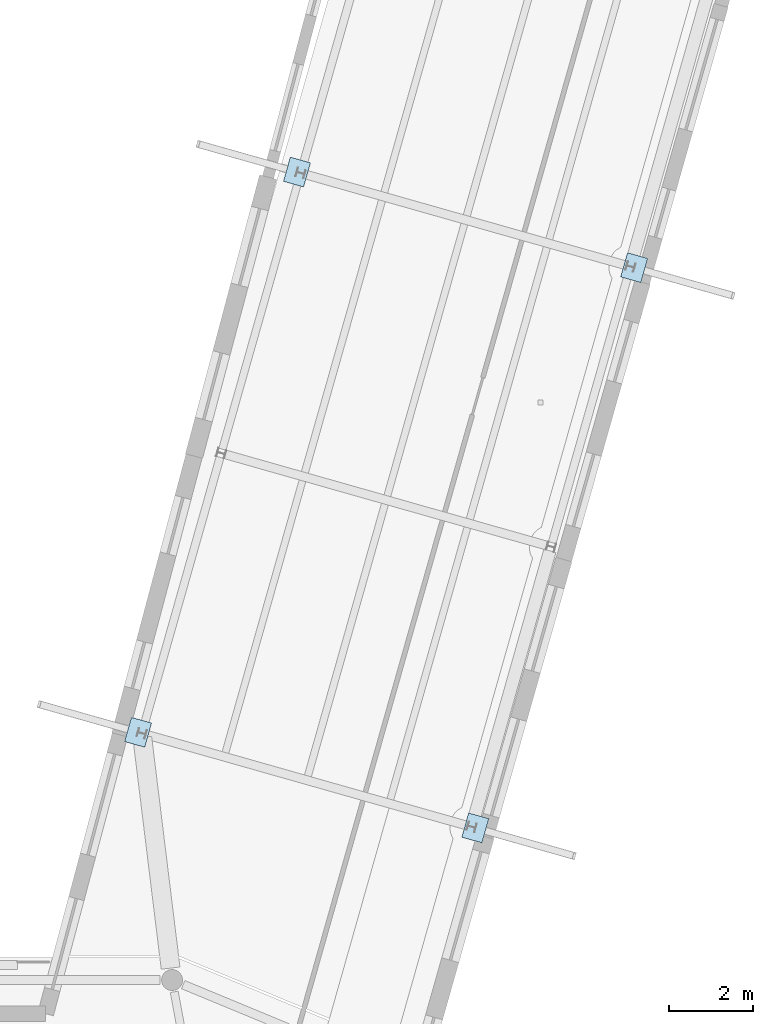
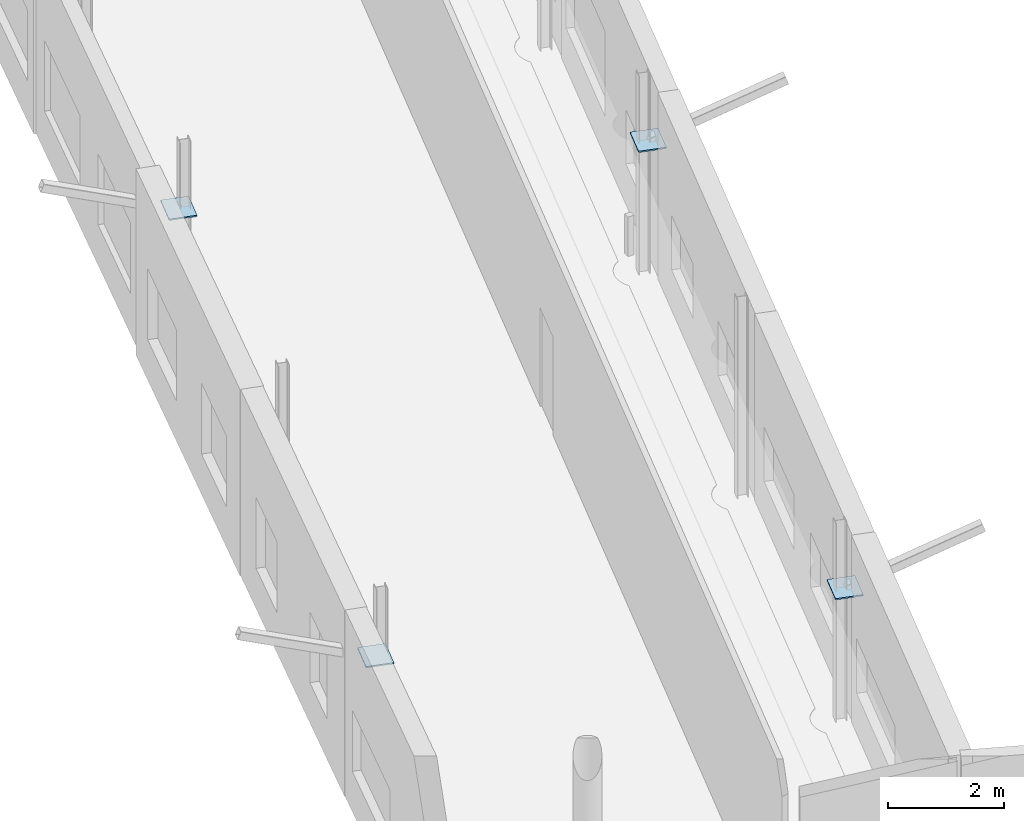
# One storey, part 50 of 90: 4 plates.
"""IFC4 building model written with IfcOpenShell, lengths in metres."""

from ifc_helpers import new_model, si_unit, direction, frame, origin, origin_2d, place, context, subcontext, project, spatial, rectangle, extrude, material, layer, layer_set, type_object, element, save


model = new_model("IFC4")

# Units and contexts
model_context = context("Model", 3, precision=1e-05, world=origin(), true_north=direction((0.0, 1.0)))
body_context = subcontext(model_context, "Body", "Model", "MODEL_VIEW")
ifc_project = project(units=[si_unit("LENGTHUNIT", "METRE"), si_unit("AREAUNIT", "SQUARE_METRE"), si_unit("VOLUMEUNIT", "CUBIC_METRE"), si_unit("PLANEANGLEUNIT", "RADIAN"), si_unit("MASSUNIT", "GRAM", prefix="KILO")], contexts=[model_context])

# Site, building, storey
site_placement = place(None, origin())
site = spatial("IfcSite", under=ifc_project, at=site_placement, CompositionType="ELEMENT")
building_placement = place(site_placement, origin())
building = spatial("IfcBuilding", under=site, at=building_placement, Name="Wrenclough Park School", CompositionType="ELEMENT")
storey_placement = place(building_placement, frame((0.0, 0.0, 8.39990234375)))
storey = spatial("IfcBuildingStorey", under=building, at=storey_placement, Name="L02", CompositionType="ELEMENT", Elevation=8.39990234375)

# Plates
ifc_material = material(Name="Structural steel S355", Category="steel")
ifc_layer = layer(ifc_material, 0.028076171875)
ifc_layer_set = layer_set([ifc_layer], Name="Structural steel S355")
plate_type = type_object("IfcPlateType", Name="STR-PL-KN3", PredefinedType="USERDEFINED", material=ifc_layer_set)
for number, where, z_axis, x_axis, name in (
    (1, (159.0673828125, 54.443603515625, 2.73583984375), (0.0, 0.0, 1.0), (0.272824100268, 0.96206393255, 0.0), "W14 eave knee-brace gusset plate 7"),
    (2, (167.132568359375, 52.156494140625, 2.73583984375), (0.0, 0.0, 1.0), (0.272824100268, 0.96206393255, 0.0), "W14 eave knee-brace gusset plate 8"),
    (3, (162.867431640625, 67.843505859375, 2.73583984375), (0.0, 0.0, 1.0), (0.272824100268, 0.96206393255, 0.0), "W14 eave knee-brace gusset plate 9"),
    (4, (170.9326171875, 65.556396484375, 2.73583984375), (0.0, 0.0, 1.0), (0.272824100268, 0.96206393255, 0.0), "W14 eave knee-brace gusset plate 10"),
):
    element("IfcPlate", number, at=place(storey_placement, frame(where, z_axis=z_axis, x_axis=x_axis)), inside=storey, type_object=plate_type, Name=name, ObjectType="GUSSET PLATE", PredefinedType="USERDEFINED", context=body_context, shape_type="SweptSolid", body=[
        extrude(rectangle(XDim=0.60009765625, YDim=0.5, at=origin_2d()), origin(), (0.0, 0.0, 1.0), 0.028076171875),
    ])

save(model, "model.ifc")
